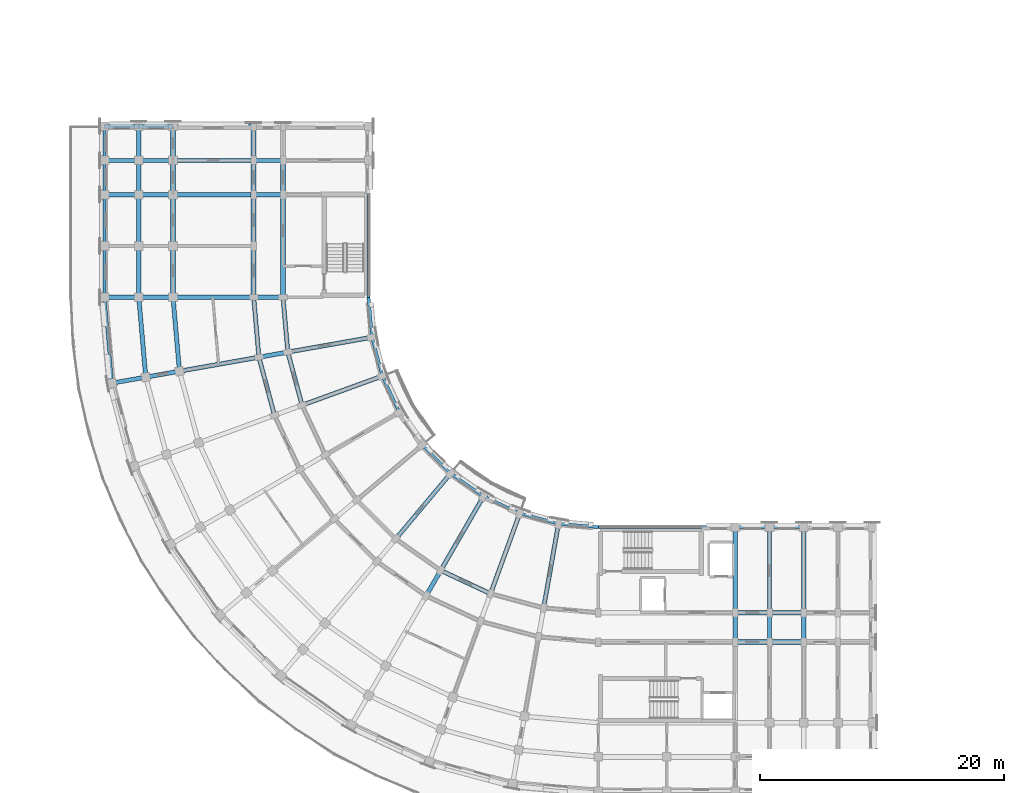
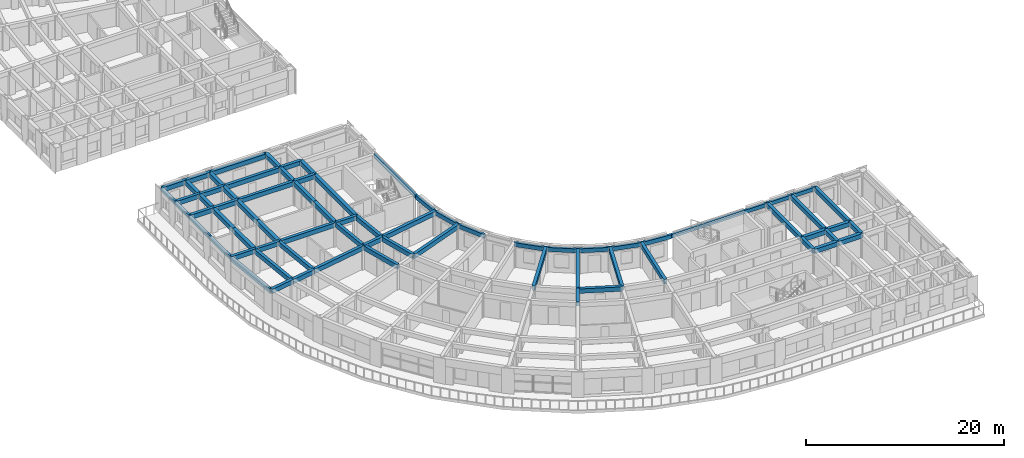
# One storey, part 6 of 57: 74 beams.
"""IFC4 building model written with IfcOpenShell, lengths in metres."""

from ifc_helpers import new_model, si_unit, direction, frame, origin, origin_2d, place, context, subcontext, project, spatial, rectangle, extrude, material, material_profile, profile_set, type_object, element, save


model = new_model("IFC4")

# Units and contexts
model_context = context("Model", 3, precision=1e-05, world=origin(), true_north=direction((0.0, 1.0)))
body_context = subcontext(model_context, "Body", "Model", "MODEL_VIEW")
ifc_project = project(units=[si_unit("LENGTHUNIT", "METRE"), si_unit("AREAUNIT", "SQUARE_METRE"), si_unit("VOLUMEUNIT", "CUBIC_METRE"), si_unit("PLANEANGLEUNIT", "RADIAN"), si_unit("MASSUNIT", "GRAM", prefix="KILO")], contexts=[model_context])

# Site, building, storey
site_placement = place(None, origin())
site = spatial("IfcSite", under=ifc_project, at=site_placement, CompositionType="ELEMENT")
building_placement = place(site_placement, origin())
building = spatial("IfcBuilding", under=site, at=building_placement, Name="Kiranvali Square Residences", CompositionType="ELEMENT")
storey_placement = place(building_placement, frame((0.0, 0.0, 24.449951171875)))
storey = spatial("IfcBuildingStorey", under=building, at=storey_placement, Name="L07", CompositionType="ELEMENT", Elevation=24.449951171875)

# Beams
ifc_material_1 = material(Name="Concrete M40 (40 MPa)", Category="concrete")
ifc_material_profile_1 = material_profile(ifc_material_1, rectangle(XDim=0.35009765625, YDim=0.550048828125, at=origin_2d()), Name="RC 350x550")
ifc_profile_set_1 = profile_set([ifc_material_profile_1], Name="Concrete M40 (40 MPa)")
beam_type_1 = type_object("IfcBeamType", Name="BM-M40-350x550", PredefinedType="BEAM", material=ifc_profile_set_1)
for number, where, z_axis, x_axis, name in (
    (1, (39.3759765625, 23.955810546875, 2.655029296875), (-0.906307919131, 0.422617978463, 0.0), (-0.422617978463, -0.906307919131, 0.0), "L07 beam BM-C-L07-C02-R1"),
    (2, (23.955810546875, 39.3759765625, 2.655029296875), (-0.258787642463, 0.965934240054, 0.0), (-0.965934240054, -0.258787642463, 0.0), "L07 beam BM-C-L07-C07-R1"),
):
    element("IfcBeam", number, at=place(storey_placement, frame(where, z_axis=z_axis, x_axis=x_axis)), inside=storey, type_object=beam_type_1, Name=name, PredefinedType="BEAM", context=body_context, shape_type="SweptSolid", body=[
        extrude(rectangle(XDim=0.35009765625, YDim=0.550048828125, at=origin_2d()), origin(), (0.0, 0.0, 1.0), 4.497314453125),
    ])
beam_1_placement = place(storey_placement, frame((21.70068359375, 38.554931640625, 2.655029296875), z_axis=(-0.258803112091, 0.965930095386, 0.0), x_axis=(-0.965930095386, -0.258803112091, 0.0)))
element("IfcBeam", 3, at=beam_1_placement, inside=storey, type_object=beam_type_1, Name="L07 beam BM-C-L07-C07-R2", PredefinedType="BEAM", context=body_context, shape_type="SweptSolid", body=[
    extrude(rectangle(XDim=0.35009765625, YDim=0.550048828125, at=origin_2d()), origin(), (0.0, 0.0, 1.0), 4.915771484375),
])
beam_2_placement = place(storey_placement, frame((22.7919921875, 43.719970703125, 2.655029296875), z_axis=(-0.087187153726, 0.996191949488, 0.0), x_axis=(-0.996191949488, -0.087187153726, 0.0)))
element("IfcBeam", 4, at=beam_2_placement, inside=storey, type_object=beam_type_1, Name="L07 beam BM-C-L07-C08-R1", PredefinedType="BEAM", context=body_context, shape_type="SweptSolid", body=[
    extrude(rectangle(XDim=0.35009765625, YDim=0.550048828125, at=origin_2d()), origin(), (0.0, 0.0, 1.0), 4.4970703125),
])
beam_3_placement = place(storey_placement, frame((20.428466796875, 43.30322265625, 2.655029296875), z_axis=(-0.087167566415, 0.996193663584, 0.0), x_axis=(-0.996193663584, -0.087167566415, 0.0)))
element("IfcBeam", 5, at=beam_3_placement, inside=storey, type_object=beam_type_1, Name="L07 beam BM-C-L07-C08-R2", PredefinedType="BEAM", context=body_context, shape_type="SweptSolid", body=[
    extrude(rectangle(XDim=0.35009765625, YDim=0.550048828125, at=origin_2d()), origin(), (0.0, 0.0, 1.0), 4.91552734375),
])
beam_4_placement = place(storey_placement, frame((13.9287109375, 42.156982421875, 2.655029296875), z_axis=(-0.087174938512, 0.996193018494, 0.0), x_axis=(-0.996193018494, -0.087174938512, 0.0)))
element("IfcBeam", 6, at=beam_4_placement, inside=storey, type_object=beam_type_1, Name="L07 beam BM-C-L07-C08-R3", PredefinedType="BEAM", context=body_context, shape_type="SweptSolid", body=[
    extrude(rectangle(XDim=0.35009765625, YDim=0.550048828125, at=origin_2d()), origin(), (0.0, 0.0, 1.0), 6.066162109375),
])
beam_5_placement = place(storey_placement, frame((11.171142578125, 41.6708984375, 2.655029296875), z_axis=(-0.0871295204, 0.996196991902, 0.0), x_axis=(-0.996196991902, -0.0871295204, 0.0)))
element("IfcBeam", 7, at=beam_5_placement, inside=storey, type_object=beam_type_1, Name="L07 beam BM-C-L07-C08-R4", PredefinedType="BEAM", context=body_context, shape_type="SweptSolid", body=[
    extrude(rectangle(XDim=0.35009765625, YDim=0.550048828125, at=origin_2d()), origin(), (0.0, 0.0, 1.0), 6.553955078125),
])
beam_6_placement = place(storey_placement, frame((44.935302734375, 29.685546875, 2.655029296875), z_axis=(-0.173622177865, -0.984812337125, 0.0), x_axis=(0.984812337125, -0.173622177865, 0.0)))
element("IfcBeam", 8, at=beam_6_placement, inside=storey, type_object=beam_type_1, Name="L07 beam BM-C-L07-RAD01-01", PredefinedType="BEAM", context=body_context, shape_type="SweptSolid", body=[
    extrude(rectangle(XDim=0.35009765625, YDim=0.550048828125, at=origin_2d()), origin(), (0.0, 0.0, 1.0), 6.999755859375),
])
for number, where, z_axis, x_axis, name in (
    (9, (41.77001953125, 30.53369140625, 2.655029296875), (-0.342006283793, -0.939697665127, 0.0), (0.939697665127, -0.342006283793, 0.0), "L07 beam BM-C-L07-RAD02-01"),
    (10, (38.800048828125, 31.918701171875, 2.655029296875), (-0.499995173006, -0.866028190633, 0.0), (0.866028190633, -0.499995173006, 0.0), "L07 beam BM-C-L07-RAD03-01"),
):
    element("IfcBeam", number, at=place(storey_placement, frame(where, z_axis=z_axis, x_axis=x_axis)), inside=storey, type_object=beam_type_1, Name=name, PredefinedType="BEAM", context=body_context, shape_type="SweptSolid", body=[
        extrude(rectangle(XDim=0.35009765625, YDim=0.550048828125, at=origin_2d()), origin(), (0.0, 0.0, 1.0), 7.0),
    ])
beam_7_placement = place(storey_placement, frame((35.300048828125, 25.8564453125, 2.655029296875), z_axis=(-0.500001309137, -0.866024647952, 0.0), x_axis=(0.866024647952, -0.500001309137, 0.0)))
element("IfcBeam", 11, at=beam_7_placement, inside=storey, type_object=beam_type_1, Name="L07 beam BM-C-L07-RAD03-12", PredefinedType="BEAM", context=body_context, shape_type="SweptSolid", body=[
    extrude(rectangle(XDim=0.35009765625, YDim=0.550048828125, at=origin_2d()), origin(), (0.0, 0.0, 1.0), 2.39990234375),
])
for number, where, z_axis, x_axis, name in (
    (12, (36.115478515625, 33.79833984375, 2.655029296875), (-0.642787931032, -0.766044173478, 0.0), (0.766044173478, -0.642787931032, 0.0), "L07 beam BM-C-L07-RAD04-01"),
    (13, (30.53369140625, 41.77001953125, 2.655029296875), (-0.939697665127, -0.342006283793, 0.0), (0.342006283793, -0.939697665127, 0.0), "L07 beam BM-C-L07-RAD07-01"),
):
    element("IfcBeam", number, at=place(storey_placement, frame(where, z_axis=z_axis, x_axis=x_axis)), inside=storey, type_object=beam_type_1, Name=name, PredefinedType="BEAM", context=body_context, shape_type="SweptSolid", body=[
        extrude(rectangle(XDim=0.35009765625, YDim=0.550048828125, at=origin_2d()), origin(), (0.0, 0.0, 1.0), 7.0),
    ])
beam_8_placement = place(storey_placement, frame((29.685546875, 44.935302734375, 2.655029296875), z_axis=(-0.984812337125, -0.173622177865, 0.0), x_axis=(0.173622177865, -0.984812337125, 0.0)))
element("IfcBeam", 14, at=beam_8_placement, inside=storey, type_object=beam_type_1, Name="L07 beam BM-C-L07-RAD08-01", PredefinedType="BEAM", context=body_context, shape_type="SweptSolid", body=[
    extrude(rectangle(XDim=0.35009765625, YDim=0.550048828125, at=origin_2d()), origin(), (0.0, 0.0, 1.0), 6.999755859375),
])
beam_9_placement = place(storey_placement, frame((22.7919921875, 43.719970703125, 2.655029296875), z_axis=(-0.984808127031, -0.173646056486, 0.0), x_axis=(0.173646056486, -0.984808127031, 0.0)))
element("IfcBeam", 15, at=beam_9_placement, inside=storey, type_object=beam_type_1, Name="L07 beam BM-C-L07-RAD08-12", PredefinedType="BEAM", context=body_context, shape_type="SweptSolid", body=[
    extrude(rectangle(XDim=0.35009765625, YDim=0.550048828125, at=origin_2d()), origin(), (0.0, 0.0, 1.0), 2.39990234375),
])
beam_10_placement = place(storey_placement, frame((20.428466796875, 43.30322265625, 2.655029296875), z_axis=(-0.984803661269, -0.173671381499, 0.0), x_axis=(0.173671381499, -0.984803661269, 0.0)))
element("IfcBeam", 16, at=beam_10_placement, inside=storey, type_object=beam_type_1, Name="L07 beam BM-C-L07-RAD08-23", PredefinedType="BEAM", context=body_context, shape_type="SweptSolid", body=[
    extrude(rectangle(XDim=0.35009765625, YDim=0.550048828125, at=origin_2d()), origin(), (0.0, 0.0, 1.0), 6.60009765625),
])
beam_11_placement = place(storey_placement, frame((13.9287109375, 42.156982421875, 2.655029296875), z_axis=(-0.984816895441, -0.173596320392, 0.0), x_axis=(0.173596320392, -0.984816895441, 0.0)))
element("IfcBeam", 17, at=beam_11_placement, inside=storey, type_object=beam_type_1, Name="L07 beam BM-C-L07-RAD08-34", PredefinedType="BEAM", context=body_context, shape_type="SweptSolid", body=[
    extrude(rectangle(XDim=0.35009765625, YDim=0.550048828125, at=origin_2d()), origin(), (0.0, 0.0, 1.0), 2.800048828125),
])
beam_12_placement = place(storey_placement, frame((11.171142578125, 41.6708984375, 2.695068359375), z_axis=(-0.984799355489, -0.173695795656, 0.0), x_axis=(0.173695795656, -0.984799355489, 0.0)))
element("IfcBeam", 18, at=beam_12_placement, inside=storey, type_object=beam_type_1, Name="L07 beam BM-C-L07-RAD08-45", PredefinedType="BEAM", context=body_context, shape_type="SweptSolid", body=[
    extrude(rectangle(XDim=0.35009765625, YDim=0.550048828125, at=origin_2d()), origin(), (0.0, 0.0, 1.0), 2.7998046875),
])
beam_13_placement = place(storey_placement, frame((59.39990234375, 29.39990234375, 2.655029296875), z_axis=(0.0, -1.0, 0.0), x_axis=(1.0, 0.0, 0.0)))
element("IfcBeam", 19, at=beam_13_placement, inside=storey, type_object=beam_type_1, Name="L07 beam BM-C-L07-A1T1-01", PredefinedType="BEAM", context=body_context, shape_type="SweptSolid", body=[
    extrude(rectangle(XDim=0.35009765625, YDim=0.550048828125, at=origin_2d()), origin(), (0.0, 0.0, 1.0), 7.0),
])
beam_14_placement = place(storey_placement, frame((59.39990234375, 22.39990234375, 2.655029296875), z_axis=(0.0, -1.0, 0.0), x_axis=(1.0, 0.0, 0.0)))
element("IfcBeam", 20, at=beam_14_placement, inside=storey, type_object=beam_type_1, Name="L07 beam BM-C-L07-A1T1-12", PredefinedType="BEAM", context=body_context, shape_type="SweptSolid", body=[
    extrude(rectangle(XDim=0.35009765625, YDim=0.550048828125, at=origin_2d()), origin(), (0.0, 0.0, 1.0), 2.39990234375),
])
beam_15_placement = place(storey_placement, frame((62.199951171875, 29.39990234375, 2.655029296875), z_axis=(0.0, -1.0, 0.0), x_axis=(1.0, 0.0, 0.0)))
element("IfcBeam", 21, at=beam_15_placement, inside=storey, type_object=beam_type_1, Name="L07 beam BM-C-L07-A1T2-01", PredefinedType="BEAM", context=body_context, shape_type="SweptSolid", body=[
    extrude(rectangle(XDim=0.35009765625, YDim=0.550048828125, at=origin_2d()), origin(), (0.0, 0.0, 1.0), 7.0),
])
beam_16_placement = place(storey_placement, frame((62.199951171875, 22.39990234375, 2.655029296875), z_axis=(0.0, -1.0, 0.0), x_axis=(1.0, 0.0, 0.0)))
element("IfcBeam", 22, at=beam_16_placement, inside=storey, type_object=beam_type_1, Name="L07 beam BM-C-L07-A1T2-12", PredefinedType="BEAM", context=body_context, shape_type="SweptSolid", body=[
    extrude(rectangle(XDim=0.35009765625, YDim=0.550048828125, at=origin_2d()), origin(), (0.0, 0.0, 1.0), 2.39990234375),
])
beam_17_placement = place(storey_placement, frame((65.0, 29.39990234375, 2.655029296875), z_axis=(0.0, -1.0, 0.0), x_axis=(1.0, 0.0, 0.0)))
element("IfcBeam", 23, at=beam_17_placement, inside=storey, type_object=beam_type_1, Name="L07 beam BM-C-L07-A1T3-01", PredefinedType="BEAM", context=body_context, shape_type="SweptSolid", body=[
    extrude(rectangle(XDim=0.35009765625, YDim=0.550048828125, at=origin_2d()), origin(), (0.0, 0.0, 1.0), 7.0),
])
for number, where, z_axis, x_axis, name in (
    (24, (65.0, 22.39990234375, 2.655029296875), (0.0, -1.0, 0.0), (1.0, 0.0, 0.0), "L07 beam BM-C-L07-A1T3-12"),
    (25, (22.39990234375, 48.199951171875, 2.655029296875), (-1.0, 0.0, 0.0), (0.0, -1.0, 0.0), "L07 beam BM-C-L07-A2T0-12"),
):
    element("IfcBeam", number, at=place(storey_placement, frame(where, z_axis=z_axis, x_axis=x_axis)), inside=storey, type_object=beam_type_1, Name=name, PredefinedType="BEAM", context=body_context, shape_type="SweptSolid", body=[
        extrude(rectangle(XDim=0.35009765625, YDim=0.550048828125, at=origin_2d()), origin(), (0.0, 0.0, 1.0), 2.39990234375),
    ])
beam_18_placement = place(storey_placement, frame((20.0, 48.199951171875, 2.655029296875), z_axis=(-1.0, 0.0, 0.0), x_axis=(0.0, -1.0, 0.0)))
element("IfcBeam", 26, at=beam_18_placement, inside=storey, type_object=beam_type_1, Name="L07 beam BM-C-L07-A2T0-23", PredefinedType="BEAM", context=body_context, shape_type="SweptSolid", body=[
    extrude(rectangle(XDim=0.35009765625, YDim=0.550048828125, at=origin_2d()), origin(), (0.0, 0.0, 1.0), 6.60009765625),
])
beam_19_placement = place(storey_placement, frame((13.39990234375, 48.199951171875, 2.655029296875), z_axis=(-1.0, 0.0, 0.0), x_axis=(0.0, -1.0, 0.0)))
element("IfcBeam", 27, at=beam_19_placement, inside=storey, type_object=beam_type_1, Name="L07 beam BM-C-L07-A2T0-34", PredefinedType="BEAM", context=body_context, shape_type="SweptSolid", body=[
    extrude(rectangle(XDim=0.35009765625, YDim=0.550048828125, at=origin_2d()), origin(), (0.0, 0.0, 1.0), 2.7998046875),
])
beam_20_placement = place(storey_placement, frame((10.60009765625, 48.199951171875, 2.695068359375), z_axis=(-1.0, 0.0, 0.0), x_axis=(0.0, -1.0, 0.0)))
element("IfcBeam", 28, at=beam_20_placement, inside=storey, type_object=beam_type_1, Name="L07 beam BM-C-L07-A2T0-45", PredefinedType="BEAM", context=body_context, shape_type="SweptSolid", body=[
    extrude(rectangle(XDim=0.35009765625, YDim=0.550048828125, at=origin_2d()), origin(), (0.0, 0.0, 1.0), 2.800048828125),
])
beam_21_placement = place(storey_placement, frame((22.39990234375, 56.60009765625, 2.655029296875), z_axis=(-1.0, 0.0, 0.0), x_axis=(0.0, -1.0, 0.0)))
element("IfcBeam", 29, at=beam_21_placement, inside=storey, type_object=beam_type_1, Name="L07 beam BM-C-L07-A2T1-12", PredefinedType="BEAM", context=body_context, shape_type="SweptSolid", body=[
    extrude(rectangle(XDim=0.35009765625, YDim=0.550048828125, at=origin_2d()), origin(), (0.0, 0.0, 1.0), 2.39990234375),
])
beam_22_placement = place(storey_placement, frame((20.0, 56.60009765625, 2.655029296875), z_axis=(-1.0, 0.0, 0.0), x_axis=(0.0, -1.0, 0.0)))
element("IfcBeam", 30, at=beam_22_placement, inside=storey, type_object=beam_type_1, Name="L07 beam BM-C-L07-A2T1-23", PredefinedType="BEAM", context=body_context, shape_type="SweptSolid", body=[
    extrude(rectangle(XDim=0.35009765625, YDim=0.550048828125, at=origin_2d()), origin(), (0.0, 0.0, 1.0), 6.60009765625),
])
beam_23_placement = place(storey_placement, frame((13.39990234375, 56.60009765625, 2.655029296875), z_axis=(-1.0, 0.0, 0.0), x_axis=(0.0, -1.0, 0.0)))
element("IfcBeam", 31, at=beam_23_placement, inside=storey, type_object=beam_type_1, Name="L07 beam BM-C-L07-A2T1-34", PredefinedType="BEAM", context=body_context, shape_type="SweptSolid", body=[
    extrude(rectangle(XDim=0.35009765625, YDim=0.550048828125, at=origin_2d()), origin(), (0.0, 0.0, 1.0), 2.7998046875),
])
beam_24_placement = place(storey_placement, frame((10.60009765625, 56.60009765625, 2.695068359375), z_axis=(-1.0, 0.0, 0.0), x_axis=(0.0, -1.0, 0.0)))
element("IfcBeam", 32, at=beam_24_placement, inside=storey, type_object=beam_type_1, Name="L07 beam BM-C-L07-A2T1-45", PredefinedType="BEAM", context=body_context, shape_type="SweptSolid", body=[
    extrude(rectangle(XDim=0.35009765625, YDim=0.550048828125, at=origin_2d()), origin(), (0.0, 0.0, 1.0), 2.800048828125),
])
beam_25_placement = place(storey_placement, frame((22.39990234375, 59.39990234375, 2.655029296875), z_axis=(-1.0, 0.0, 0.0), x_axis=(0.0, -1.0, 0.0)))
element("IfcBeam", 33, at=beam_25_placement, inside=storey, type_object=beam_type_1, Name="L07 beam BM-C-L07-A2T2-12", PredefinedType="BEAM", context=body_context, shape_type="SweptSolid", body=[
    extrude(rectangle(XDim=0.35009765625, YDim=0.550048828125, at=origin_2d()), origin(), (0.0, 0.0, 1.0), 2.39990234375),
])
beam_26_placement = place(storey_placement, frame((20.0, 59.39990234375, 2.655029296875), z_axis=(-1.0, 0.0, 0.0), x_axis=(0.0, -1.0, 0.0)))
element("IfcBeam", 34, at=beam_26_placement, inside=storey, type_object=beam_type_1, Name="L07 beam BM-C-L07-A2T2-23", PredefinedType="BEAM", context=body_context, shape_type="SweptSolid", body=[
    extrude(rectangle(XDim=0.35009765625, YDim=0.550048828125, at=origin_2d()), origin(), (0.0, 0.0, 1.0), 6.60009765625),
])
beam_27_placement = place(storey_placement, frame((13.39990234375, 59.39990234375, 2.655029296875), z_axis=(-1.0, 0.0, 0.0), x_axis=(0.0, -1.0, 0.0)))
element("IfcBeam", 35, at=beam_27_placement, inside=storey, type_object=beam_type_1, Name="L07 beam BM-C-L07-A2T2-34", PredefinedType="BEAM", context=body_context, shape_type="SweptSolid", body=[
    extrude(rectangle(XDim=0.35009765625, YDim=0.550048828125, at=origin_2d()), origin(), (0.0, 0.0, 1.0), 2.7998046875),
])
beam_28_placement = place(storey_placement, frame((10.60009765625, 59.39990234375, 2.695068359375), z_axis=(-1.0, 0.0, 0.0), x_axis=(0.0, -1.0, 0.0)))
element("IfcBeam", 36, at=beam_28_placement, inside=storey, type_object=beam_type_1, Name="L07 beam BM-C-L07-A2T2-45", PredefinedType="BEAM", context=body_context, shape_type="SweptSolid", body=[
    extrude(rectangle(XDim=0.35009765625, YDim=0.550048828125, at=origin_2d()), origin(), (0.0, 0.0, 1.0), 2.800048828125),
])
beam_29_placement = place(storey_placement, frame((20.0, 62.199951171875, 2.655029296875), z_axis=(-1.0, 0.0, 0.0), x_axis=(0.0, -1.0, 0.0)))
element("IfcBeam", 37, at=beam_29_placement, inside=storey, type_object=beam_type_1, Name="L07 beam BM-C-L07-A2T3-23", PredefinedType="BEAM", context=body_context, shape_type="SweptSolid", body=[
    extrude(rectangle(XDim=0.35009765625, YDim=0.550048828125, at=origin_2d()), origin(), (0.0, 0.0, 1.0), 6.60009765625),
])
beam_30_placement = place(storey_placement, frame((13.39990234375, 62.199951171875, 2.655029296875), z_axis=(-1.0, 0.0, 0.0), x_axis=(0.0, -1.0, 0.0)))
element("IfcBeam", 38, at=beam_30_placement, inside=storey, type_object=beam_type_1, Name="L07 beam BM-C-L07-A2T3-34", PredefinedType="BEAM", context=body_context, shape_type="SweptSolid", body=[
    extrude(rectangle(XDim=0.35009765625, YDim=0.550048828125, at=origin_2d()), origin(), (0.0, 0.0, 1.0), 2.7998046875),
])
beam_31_placement = place(storey_placement, frame((10.60009765625, 62.199951171875, 2.695068359375), z_axis=(-1.0, 0.0, 0.0), x_axis=(0.0, -1.0, 0.0)))
element("IfcBeam", 39, at=beam_31_placement, inside=storey, type_object=beam_type_1, Name="L07 beam BM-C-L07-A2T3-45", PredefinedType="BEAM", context=body_context, shape_type="SweptSolid", body=[
    extrude(rectangle(XDim=0.35009765625, YDim=0.550048828125, at=origin_2d()), origin(), (0.0, 0.0, 1.0), 2.800048828125),
])
ifc_material_2 = material(Name="Concrete M45 (45 MPa)", Category="concrete")
ifc_material_profile_2 = material_profile(ifc_material_2, rectangle(XDim=0.39990234375, YDim=0.550048828125, at=origin_2d()), Name="RC 400x550")
ifc_profile_set_2 = profile_set([ifc_material_profile_2], Name="Concrete M45 (45 MPa)")
beam_type_2 = type_object("IfcBeamType", Name="BM-M45-400x550", PredefinedType="BEAM", material=ifc_profile_set_2)
for number, where, z_axis, x_axis, name in (
    (40, (59.39990234375, 22.39990234375, 2.655029296875), (1.0, 0.0, 0.0), (0.0, 1.0, 0.0), "L07 beam BM-C-L07-A1U1-R1"),
    (41, (62.199951171875, 22.39990234375, 2.655029296875), (1.0, 0.0, 0.0), (0.0, 1.0, 0.0), "L07 beam BM-C-L07-A1U2-R1"),
    (42, (59.39990234375, 20.0, 2.655029296875), (1.0, 0.0, 0.0), (0.0, 1.0, 0.0), "L07 beam BM-C-L07-A1U1-R2"),
    (43, (62.199951171875, 20.0, 2.655029296875), (1.0, 0.0, 0.0), (0.0, 1.0, 0.0), "L07 beam BM-C-L07-A1U2-R2"),
):
    element("IfcBeam", number, at=place(storey_placement, frame(where, z_axis=z_axis, x_axis=x_axis)), inside=storey, type_object=beam_type_2, Name=name, PredefinedType="BEAM", context=body_context, shape_type="SweptSolid", body=[
        extrude(rectangle(XDim=0.39990234375, YDim=0.550048828125, at=origin_2d()), origin(), (0.0, 0.0, 1.0), 2.800048828125),
    ])
beam_32_placement = place(storey_placement, frame((22.39990234375, 48.199951171875, 2.655029296875), z_axis=(0.0, 1.0, 0.0), x_axis=(-1.0, 0.0, 0.0)))
element("IfcBeam", 44, at=beam_32_placement, inside=storey, type_object=beam_type_2, Name="L07 beam BM-C-L07-A2V0-R1", PredefinedType="BEAM", context=body_context, shape_type="SweptSolid", body=[
    extrude(rectangle(XDim=0.39990234375, YDim=0.550048828125, at=origin_2d()), origin(), (0.0, 0.0, 1.0), 8.400146484375),
])
beam_33_placement = place(storey_placement, frame((22.39990234375, 56.60009765625, 2.655029296875), z_axis=(0.0, 1.0, 0.0), x_axis=(-1.0, 0.0, 0.0)))
element("IfcBeam", 45, at=beam_33_placement, inside=storey, type_object=beam_type_2, Name="L07 beam BM-C-L07-A2V1-R1", PredefinedType="BEAM", context=body_context, shape_type="SweptSolid", body=[
    extrude(rectangle(XDim=0.39990234375, YDim=0.550048828125, at=origin_2d()), origin(), (0.0, 0.0, 1.0), 2.7998046875),
])
beam_34_placement = place(storey_placement, frame((20.0, 48.199951171875, 2.655029296875), z_axis=(0.0, 1.0, 0.0), x_axis=(-1.0, 0.0, 0.0)))
element("IfcBeam", 46, at=beam_34_placement, inside=storey, type_object=beam_type_2, Name="L07 beam BM-C-L07-A2V0-R2", PredefinedType="BEAM", context=body_context, shape_type="SweptSolid", body=[
    extrude(rectangle(XDim=0.39990234375, YDim=0.550048828125, at=origin_2d()), origin(), (0.0, 0.0, 1.0), 4.199951171875),
])
beam_35_placement = place(storey_placement, frame((20.0, 52.39990234375, 2.655029296875), z_axis=(0.0, 1.0, 0.0), x_axis=(-1.0, 0.0, 0.0)))
element("IfcBeam", 47, at=beam_35_placement, inside=storey, type_object=beam_type_2, Name="L07 beam BM-C-L07-A2V1-R2", PredefinedType="BEAM", context=body_context, shape_type="SweptSolid", body=[
    extrude(rectangle(XDim=0.39990234375, YDim=0.550048828125, at=origin_2d()), origin(), (0.0, 0.0, 1.0), 4.2001953125),
])
beam_36_placement = place(storey_placement, frame((20.0, 56.60009765625, 2.655029296875), z_axis=(0.0, 1.0, 0.0), x_axis=(-1.0, 0.0, 0.0)))
element("IfcBeam", 48, at=beam_36_placement, inside=storey, type_object=beam_type_2, Name="L07 beam BM-C-L07-A2V2-R2", PredefinedType="BEAM", context=body_context, shape_type="SweptSolid", body=[
    extrude(rectangle(XDim=0.39990234375, YDim=0.550048828125, at=origin_2d()), origin(), (0.0, 0.0, 1.0), 2.7998046875),
])
beam_37_placement = place(storey_placement, frame((20.0, 59.39990234375, 2.655029296875), z_axis=(0.0, 1.0, 0.0), x_axis=(-1.0, 0.0, 0.0)))
element("IfcBeam", 49, at=beam_37_placement, inside=storey, type_object=beam_type_2, Name="L07 beam BM-C-L07-A2V3-R2", PredefinedType="BEAM", context=body_context, shape_type="SweptSolid", body=[
    extrude(rectangle(XDim=0.39990234375, YDim=0.550048828125, at=origin_2d()), origin(), (0.0, 0.0, 1.0), 2.800048828125),
])
beam_38_placement = place(storey_placement, frame((13.39990234375, 48.199951171875, 2.655029296875), z_axis=(0.0, 1.0, 0.0), x_axis=(-1.0, 0.0, 0.0)))
element("IfcBeam", 50, at=beam_38_placement, inside=storey, type_object=beam_type_2, Name="L07 beam BM-C-L07-A2V0-R3", PredefinedType="BEAM", context=body_context, shape_type="SweptSolid", body=[
    extrude(rectangle(XDim=0.39990234375, YDim=0.550048828125, at=origin_2d()), origin(), (0.0, 0.0, 1.0), 4.199951171875),
])
beam_39_placement = place(storey_placement, frame((13.39990234375, 52.39990234375, 2.655029296875), z_axis=(0.0, 1.0, 0.0), x_axis=(-1.0, 0.0, 0.0)))
element("IfcBeam", 51, at=beam_39_placement, inside=storey, type_object=beam_type_2, Name="L07 beam BM-C-L07-A2V1-R3", PredefinedType="BEAM", context=body_context, shape_type="SweptSolid", body=[
    extrude(rectangle(XDim=0.39990234375, YDim=0.550048828125, at=origin_2d()), origin(), (0.0, 0.0, 1.0), 4.2001953125),
])
beam_40_placement = place(storey_placement, frame((13.39990234375, 56.60009765625, 2.655029296875), z_axis=(0.0, 1.0, 0.0), x_axis=(-1.0, 0.0, 0.0)))
element("IfcBeam", 52, at=beam_40_placement, inside=storey, type_object=beam_type_2, Name="L07 beam BM-C-L07-A2V2-R3", PredefinedType="BEAM", context=body_context, shape_type="SweptSolid", body=[
    extrude(rectangle(XDim=0.39990234375, YDim=0.550048828125, at=origin_2d()), origin(), (0.0, 0.0, 1.0), 2.7998046875),
])
beam_41_placement = place(storey_placement, frame((13.39990234375, 59.39990234375, 2.655029296875), z_axis=(0.0, 1.0, 0.0), x_axis=(-1.0, 0.0, 0.0)))
element("IfcBeam", 53, at=beam_41_placement, inside=storey, type_object=beam_type_2, Name="L07 beam BM-C-L07-A2V3-R3", PredefinedType="BEAM", context=body_context, shape_type="SweptSolid", body=[
    extrude(rectangle(XDim=0.39990234375, YDim=0.550048828125, at=origin_2d()), origin(), (0.0, 0.0, 1.0), 2.800048828125),
])
beam_42_placement = place(storey_placement, frame((10.60009765625, 48.199951171875, 2.655029296875), z_axis=(0.0, 1.0, 0.0), x_axis=(-1.0, 0.0, 0.0)))
element("IfcBeam", 54, at=beam_42_placement, inside=storey, type_object=beam_type_2, Name="L07 beam BM-C-L07-A2V0-R4", PredefinedType="BEAM", context=body_context, shape_type="SweptSolid", body=[
    extrude(rectangle(XDim=0.39990234375, YDim=0.550048828125, at=origin_2d()), origin(), (0.0, 0.0, 1.0), 4.199951171875),
])
beam_43_placement = place(storey_placement, frame((10.60009765625, 52.39990234375, 2.655029296875), z_axis=(0.0, 1.0, 0.0), x_axis=(-1.0, 0.0, 0.0)))
element("IfcBeam", 55, at=beam_43_placement, inside=storey, type_object=beam_type_2, Name="L07 beam BM-C-L07-A2V1-R4", PredefinedType="BEAM", context=body_context, shape_type="SweptSolid", body=[
    extrude(rectangle(XDim=0.39990234375, YDim=0.550048828125, at=origin_2d()), origin(), (0.0, 0.0, 1.0), 4.2001953125),
])
beam_44_placement = place(storey_placement, frame((10.60009765625, 56.60009765625, 2.655029296875), z_axis=(0.0, 1.0, 0.0), x_axis=(-1.0, 0.0, 0.0)))
element("IfcBeam", 56, at=beam_44_placement, inside=storey, type_object=beam_type_2, Name="L07 beam BM-C-L07-A2V2-R4", PredefinedType="BEAM", context=body_context, shape_type="SweptSolid", body=[
    extrude(rectangle(XDim=0.39990234375, YDim=0.550048828125, at=origin_2d()), origin(), (0.0, 0.0, 1.0), 2.7998046875),
])
beam_45_placement = place(storey_placement, frame((10.60009765625, 59.39990234375, 2.655029296875), z_axis=(0.0, 1.0, 0.0), x_axis=(-1.0, 0.0, 0.0)))
element("IfcBeam", 57, at=beam_45_placement, inside=storey, type_object=beam_type_2, Name="L07 beam BM-C-L07-A2V3-R4", PredefinedType="BEAM", context=body_context, shape_type="SweptSolid", body=[
    extrude(rectangle(XDim=0.39990234375, YDim=0.550048828125, at=origin_2d()), origin(), (0.0, 0.0, 1.0), 2.800048828125),
])
ifc_material_profile_3 = material_profile(ifc_material_1, rectangle(XDim=0.25, YDim=0.449951171875, at=origin_2d()), Name="RC 250x450")
ifc_profile_set_3 = profile_set([ifc_material_profile_3], Name="Concrete M40 (40 MPa)")
beam_type_3 = type_object("IfcBeamType", Name="SPN-M40-250x450", PredefinedType="SPANDREL", material=ifc_profile_set_3)
beam_46_placement = place(storey_placement, frame((48.199951171875, 29.39990234375, 2.705078125), z_axis=(1.0, 0.0, 0.0), x_axis=(0.0, 1.0, 0.0)))
element("IfcBeam", 58, at=beam_46_placement, inside=storey, type_object=beam_type_3, Name="L07 beam BM-C-L07-A1U0-R0", PredefinedType="SPANDREL", context=body_context, shape_type="SweptSolid", body=[
    extrude(rectangle(XDim=0.25, YDim=0.449951171875, at=origin_2d()), origin(), (0.0, 0.0, 1.0), 11.199951171875),
])
for number, where, z_axis, x_axis, name in (
    (59, (59.39990234375, 29.39990234375, 2.705078125), (1.0, 0.0, 0.0), (0.0, 1.0, 0.0), "L07 beam BM-C-L07-A1U1-R0"),
    (60, (62.199951171875, 29.39990234375, 2.705078125), (1.0, 0.0, 0.0), (0.0, 1.0, 0.0), "L07 beam BM-C-L07-A1U2-R0"),
):
    element("IfcBeam", number, at=place(storey_placement, frame(where, z_axis=z_axis, x_axis=x_axis)), inside=storey, type_object=beam_type_3, Name=name, PredefinedType="SPANDREL", context=body_context, shape_type="SweptSolid", body=[
        extrude(rectangle(XDim=0.25, YDim=0.449951171875, at=origin_2d()), origin(), (0.0, 0.0, 1.0), 2.800048828125),
    ])
beam_47_placement = place(storey_placement, frame((29.39990234375, 48.199951171875, 2.705078125), z_axis=(0.0, 1.0, 0.0), x_axis=(-1.0, 0.0, 0.0)))
element("IfcBeam", 61, at=beam_47_placement, inside=storey, type_object=beam_type_3, Name="L07 beam BM-C-L07-A2V0-R0", PredefinedType="SPANDREL", context=body_context, shape_type="SweptSolid", body=[
    extrude(rectangle(XDim=0.25, YDim=0.449951171875, at=origin_2d()), origin(), (0.0, 0.0, 1.0), 8.400146484375),
])
beam_48_placement = place(storey_placement, frame((7.800048828125, 48.199951171875, 2.7451171875), z_axis=(0.0, 1.0, 0.0), x_axis=(-1.0, 0.0, 0.0)))
element("IfcBeam", 62, at=beam_48_placement, inside=storey, type_object=beam_type_3, Name="L07 beam BM-C-L07-A2V0-R5", PredefinedType="SPANDREL", context=body_context, shape_type="SweptSolid", body=[
    extrude(rectangle(XDim=0.25, YDim=0.449951171875, at=origin_2d()), origin(), (0.0, 0.0, 1.0), 4.199951171875),
])
beam_49_placement = place(storey_placement, frame((7.800048828125, 52.39990234375, 2.7451171875), z_axis=(0.0, 1.0, 0.0), x_axis=(-1.0, 0.0, 0.0)))
element("IfcBeam", 63, at=beam_49_placement, inside=storey, type_object=beam_type_3, Name="L07 beam BM-C-L07-A2V1-R5", PredefinedType="SPANDREL", context=body_context, shape_type="SweptSolid", body=[
    extrude(rectangle(XDim=0.25, YDim=0.449951171875, at=origin_2d()), origin(), (0.0, 0.0, 1.0), 4.2001953125),
])
beam_50_placement = place(storey_placement, frame((7.800048828125, 56.60009765625, 2.7451171875), z_axis=(0.0, 1.0, 0.0), x_axis=(-1.0, 0.0, 0.0)))
element("IfcBeam", 64, at=beam_50_placement, inside=storey, type_object=beam_type_3, Name="L07 beam BM-C-L07-A2V2-R5", PredefinedType="SPANDREL", context=body_context, shape_type="SweptSolid", body=[
    extrude(rectangle(XDim=0.25, YDim=0.449951171875, at=origin_2d()), origin(), (0.0, 0.0, 1.0), 2.7998046875),
])
beam_51_placement = place(storey_placement, frame((7.800048828125, 59.39990234375, 2.7451171875), z_axis=(0.0, 1.0, 0.0), x_axis=(-1.0, 0.0, 0.0)))
element("IfcBeam", 65, at=beam_51_placement, inside=storey, type_object=beam_type_3, Name="L07 beam BM-C-L07-A2V3-R5", PredefinedType="SPANDREL", context=body_context, shape_type="SweptSolid", body=[
    extrude(rectangle(XDim=0.25, YDim=0.449951171875, at=origin_2d()), origin(), (0.0, 0.0, 1.0), 2.800048828125),
])
ifc_material_profile_4 = material_profile(ifc_material_1, rectangle(XDim=0.25, YDim=0.5, at=origin_2d()), Name="RC 250x500")
ifc_profile_set_4 = profile_set([ifc_material_profile_4], Name="Concrete M40 (40 MPa)")
beam_type_4 = type_object("IfcBeamType", Name="SPN-M40-250x500", PredefinedType="SPANDREL", material=ifc_profile_set_4)
beam_52_placement = place(storey_placement, frame((48.199951171875, 29.39990234375, 2.679931640625), z_axis=(-0.996194040944, 0.087163253657, 0.0), x_axis=(-0.087163253657, -0.996194040944, 0.0)))
element("IfcBeam", 66, at=beam_52_placement, inside=storey, type_object=beam_type_4, Name="L07 beam BM-C-L07-C00-R0", PredefinedType="SPANDREL", context=body_context, shape_type="SweptSolid", body=[
    extrude(rectangle(XDim=0.25, YDim=0.5, at=origin_2d()), origin(), (0.0, 0.0, 1.0), 3.277099609375),
])
beam_53_placement = place(storey_placement, frame((44.935302734375, 29.685546875, 2.679931640625), z_axis=(-0.965925105099, 0.258821736607, 0.0), x_axis=(-0.258821736607, -0.965925105099, 0.0)))
element("IfcBeam", 67, at=beam_53_placement, inside=storey, type_object=beam_type_4, Name="L07 beam BM-C-L07-C01-R0", PredefinedType="SPANDREL", context=body_context, shape_type="SweptSolid", body=[
    extrude(rectangle(XDim=0.25, YDim=0.5, at=origin_2d()), origin(), (0.0, 0.0, 1.0), 3.27685546875),
])
for number, where, z_axis, x_axis, name in (
    (68, (41.77001953125, 30.53369140625, 2.679931640625), (-0.90629730464, 0.422640740585, 0.0), (-0.422640740585, -0.90629730464, 0.0), "L07 beam BM-C-L07-C02-R0"),
    (69, (38.800048828125, 31.918701171875, 2.679931640625), (-0.81916891812, 0.573552337269, 0.0), (-0.573552337269, -0.81916891812, 0.0), "L07 beam BM-C-L07-C03-R0"),
):
    element("IfcBeam", number, at=place(storey_placement, frame(where, z_axis=z_axis, x_axis=x_axis)), inside=storey, type_object=beam_type_4, Name=name, PredefinedType="SPANDREL", context=body_context, shape_type="SweptSolid", body=[
        extrude(rectangle(XDim=0.25, YDim=0.5, at=origin_2d()), origin(), (0.0, 0.0, 1.0), 3.277099609375),
    ])
beam_54_placement = place(storey_placement, frame((36.115478515625, 33.79833984375, 2.679931640625), z_axis=(-0.707106781187, 0.707106781187, 0.0), x_axis=(-0.707106781187, -0.707106781187, 0.0)))
element("IfcBeam", 70, at=beam_54_placement, inside=storey, type_object=beam_type_4, Name="L07 beam BM-C-L07-C04-R0", PredefinedType="SPANDREL", context=body_context, shape_type="SweptSolid", body=[
    extrude(rectangle(XDim=0.25, YDim=0.5, at=origin_2d()), origin(), (0.0, 0.0, 1.0), 3.27685546875),
])
beam_55_placement = place(storey_placement, frame((31.918701171875, 38.800048828125, 2.679931640625), z_axis=(-0.422640740585, 0.90629730464, 0.0), x_axis=(-0.90629730464, -0.422640740585, 0.0)))
element("IfcBeam", 71, at=beam_55_placement, inside=storey, type_object=beam_type_4, Name="L07 beam BM-C-L07-C06-R0", PredefinedType="SPANDREL", context=body_context, shape_type="SweptSolid", body=[
    extrude(rectangle(XDim=0.25, YDim=0.5, at=origin_2d()), origin(), (0.0, 0.0, 1.0), 3.277099609375),
])
beam_56_placement = place(storey_placement, frame((30.53369140625, 41.77001953125, 2.679931640625), z_axis=(-0.258821736607, 0.965925105099, 0.0), x_axis=(-0.965925105099, -0.258821736607, 0.0)))
element("IfcBeam", 72, at=beam_56_placement, inside=storey, type_object=beam_type_4, Name="L07 beam BM-C-L07-C07-R0", PredefinedType="SPANDREL", context=body_context, shape_type="SweptSolid", body=[
    extrude(rectangle(XDim=0.25, YDim=0.5, at=origin_2d()), origin(), (0.0, 0.0, 1.0), 3.27685546875),
])
beam_57_placement = place(storey_placement, frame((29.685546875, 44.935302734375, 2.679931640625), z_axis=(-0.087163253657, 0.996194040944, 0.0), x_axis=(-0.996194040944, -0.087163253657, 0.0)))
element("IfcBeam", 73, at=beam_57_placement, inside=storey, type_object=beam_type_4, Name="L07 beam BM-C-L07-C08-R0", PredefinedType="SPANDREL", context=body_context, shape_type="SweptSolid", body=[
    extrude(rectangle(XDim=0.25, YDim=0.5, at=origin_2d()), origin(), (0.0, 0.0, 1.0), 3.277099609375),
])
ifc_material_profile_5 = material_profile(ifc_material_1, rectangle(XDim=0.25, YDim=0.550048828125, at=origin_2d()), Name="RC 250x550")
ifc_profile_set_5 = profile_set([ifc_material_profile_5], Name="Concrete M40 (40 MPa)")
beam_type_5 = type_object("IfcBeamType", Name="SPN-M40-250x550", PredefinedType="SPANDREL", material=ifc_profile_set_5)
beam_58_placement = place(storey_placement, frame((8.413818359375, 41.1845703125, 2.695068359375), z_axis=(-0.087156198737, 0.996194658198, 0.0), x_axis=(-0.996194658198, -0.087156198737, 0.0)))
element("IfcBeam", 74, at=beam_58_placement, inside=storey, type_object=beam_type_5, Name="L07 beam BM-C-L07-C08-R5", PredefinedType="SPANDREL", context=body_context, shape_type="SweptSolid", body=[
    extrude(rectangle(XDim=0.25, YDim=0.550048828125, at=origin_2d()), origin(), (0.0, 0.0, 1.0), 7.042236328125),
])

save(model, "model.ifc")
